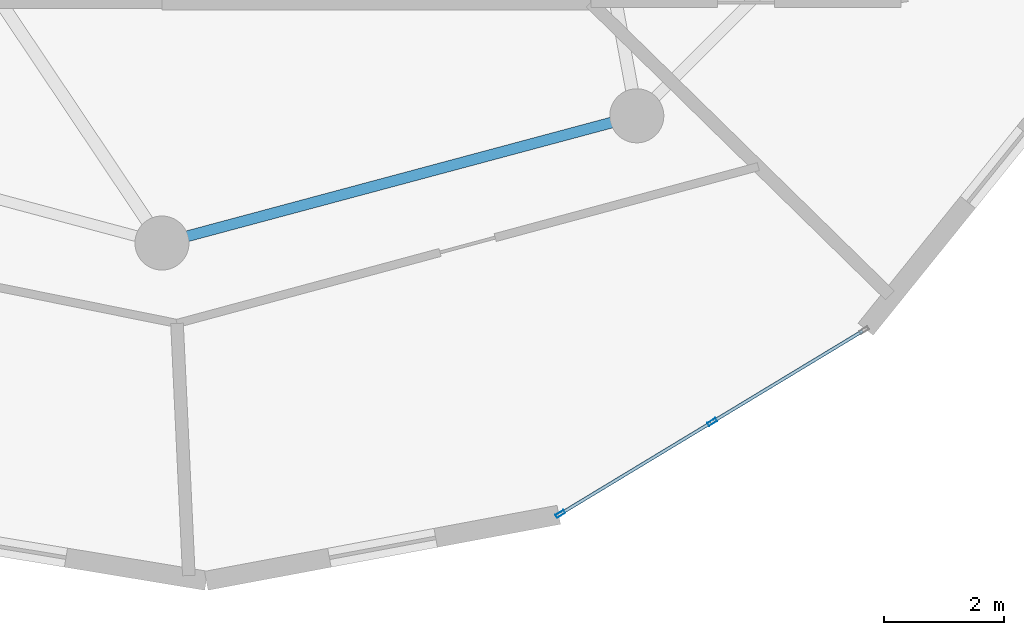
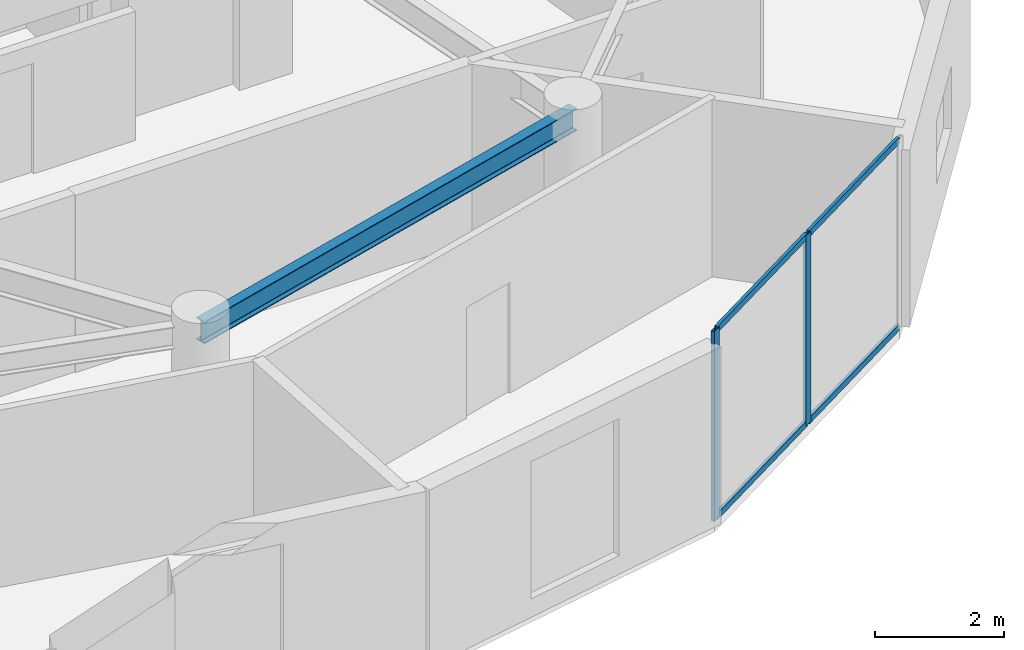
# One storey, part 5 of 21: 6 members, 1 beam, 1 element without a shape of its own.
"""IFC4 building model written with IfcOpenShell, lengths in metres."""

from ifc_helpers import new_model, si_unit, direction, frame, origin, origin_2d, place, context, subcontext, project, spatial, hollow_rectangle, i_section, extrude, source, transform, mapped, material, layer, layer_set, material_profile, profile_set, type_object, element, aggregate, save


model = new_model("IFC4")

# Units and contexts
model_context = context("Model", 3, precision=1e-05, world=origin(), true_north=direction((0.0, 1.0)))
body_context = subcontext(model_context, "Body", "Model", "MODEL_VIEW")
ifc_project = project(units=[si_unit("LENGTHUNIT", "METRE"), si_unit("AREAUNIT", "SQUARE_METRE"), si_unit("VOLUMEUNIT", "CUBIC_METRE"), si_unit("PLANEANGLEUNIT", "RADIAN"), si_unit("MASSUNIT", "GRAM", prefix="KILO")], contexts=[model_context])

# Site, building, storey
site_placement = place(None, origin())
site = spatial("IfcSite", under=ifc_project, at=site_placement, CompositionType="ELEMENT")
building_placement = place(site_placement, origin())
building = spatial("IfcBuilding", under=site, at=building_placement, Name="Solvirekh Grand Hotel", CompositionType="ELEMENT")
storey_placement = place(building_placement, frame((0.0, 0.0, 216.39990234375)))
storey = spatial("IfcBuildingStorey", under=building, at=storey_placement, Name="L56", CompositionType="ELEMENT", Elevation=216.39990234375)

# Beam
ifc_material_1 = material(Name="Steel S355", Category="steel")
ifc_material_profile_1 = material_profile(ifc_material_1, i_section(OverallWidth=0.180908203125, OverallDepth=0.4169921875, WebThickness=0.010009765625, FlangeThickness=0.01611328125, FilletRadius=0.011962890625, at=origin_2d()), Name="W410X85")
ifc_profile_set_1 = profile_set([ifc_material_profile_1], Name="Steel S355")
beam_type = type_object("IfcBeamType", Name="Spandrel_Ring_W410", PredefinedType="SPANDREL", material=ifc_profile_set_1)
beam_placement = place(storey_placement, frame((0.0, -15.800048828125, 3.152099609375), z_axis=(0.965920601923, 0.258838541915, 0.0), x_axis=(-0.258838541915, 0.965920601923, 0.0)))
element("IfcBeam", 1, at=beam_placement, inside=storey, type_object=beam_type, Name="L56 perimeter spandrel beam 10", PredefinedType="SPANDREL", context=body_context, shape_type="SweptSolid", body=[
    extrude(i_section(OverallWidth=0.180908203125, OverallDepth=0.4169921875, WebThickness=0.010009765625, FlangeThickness=0.01611328125, FilletRadius=0.011962890625, at=origin_2d()), origin(), (0.0, 0.0, 1.0), 8.1787109375),
])

# Curtain wall, members
ifc_material_2 = material(Name="Anodized Bronze Aluminium 6063-T6", Category="aluminium")
ifc_layer = layer(ifc_material_2, 0.159912109375)
ifc_layer_set = layer_set([ifc_layer], Name="Anodized Bronze Aluminium 6063-T6")
curtain_wall_type = type_object("IfcCurtainWallType", Name="CW_Sys4_HighZoneFlushBronzeCW", PredefinedType="NOTDEFINED", material=ifc_layer_set)
curtain_wall_placement = place(storey_placement, origin())
curtain_wall = element("IfcCurtainWall", 2, at=curtain_wall_placement, inside=storey, type_object=curtain_wall_type, Name="L56 unitised bronze-glass curtain wall CW-L56-C01", PredefinedType="NOTDEFINED")
ifc_material_profile_2 = material_profile(ifc_material_2, hollow_rectangle(XDim=0.06005859375, YDim=0.159912109375, WallThickness=0.0048828125, at=origin_2d()), Name="ALU RHS 160X60X5")
ifc_profile_set_2 = profile_set([ifc_material_profile_2], Name="Anodized Bronze Aluminium 6063-T6")
member_type_1 = type_object("IfcMemberType", Name="CWMullion_Sys4", PredefinedType="MULLION", material=ifc_profile_set_2)
shared_shape_1 = source(origin(), body_context, "Body", "SweptSolid", [
    extrude(hollow_rectangle(XDim=0.06005859375, YDim=0.159912109375, WallThickness=0.0048828125, at=origin_2d()), origin(), (0.0, 0.0, 1.0), 3.60009765625),
])
member_1_placement = place(storey_placement, frame((6.627685546875, -20.306396484375, 0.0), z_axis=(0.0, 0.0, 1.0), x_axis=(-0.517499245993, 0.855683662575, 0.0)))
member_1 = element("IfcMember", 3, at=member_1_placement, type_object=member_type_1, Name="U04 mullion 1", PredefinedType="MULLION", context=body_context, shape_type="MappedRepresentation", body=[
    mapped(shared_shape_1, transform((0.0, 0.0, 0.0), x_axis=(1.0, 0.0, 0.0), y_axis=(0.0, 1.0, 0.0), z_axis=(0.0, 0.0, 1.0), scale=1.0)),
])
member_2_placement = place(storey_placement, frame((9.155029296875, -18.778076171875, 0.0), z_axis=(0.0, 0.0, 1.0), x_axis=(-0.517499245993, 0.855683662575, 0.0)))
member_2 = element("IfcMember", 4, at=member_2_placement, type_object=member_type_1, Name="U04 mullion 2", PredefinedType="MULLION", context=body_context, shape_type="MappedRepresentation", body=[
    mapped(shared_shape_1, transform((0.0, 0.0, 0.0), x_axis=(1.0, 0.0, 0.0), y_axis=(0.0, 1.0, 0.0), z_axis=(0.0, 0.0, 1.0), scale=1.0)),
])
ifc_material_profile_3 = material_profile(ifc_material_2, hollow_rectangle(XDim=0.054931640625, YDim=0.1201171875, WallThickness=0.00390625, at=origin_2d()), Name="ALU RHS 120X55X4")
ifc_profile_set_3 = profile_set([ifc_material_profile_3], Name="Anodized Bronze Aluminium 6063-T6")
member_type_2 = type_object("IfcMemberType", Name="CWTransom_Sys4", PredefinedType="USERDEFINED", material=ifc_profile_set_3)
shared_shape_2 = source(origin(), body_context, "Body", "SweptSolid", [
    extrude(hollow_rectangle(XDim=0.054931640625, YDim=0.1201171875, WallThickness=0.00390625, at=origin_2d()), origin(), (0.0, 0.0, 1.0), 2.8935546875),
])
member_3_placement = place(storey_placement, frame((9.1806640625, -18.762451171875, 0.027587890625), z_axis=(0.855708525403, 0.517458133139, 0.0), x_axis=(-0.517458133139, 0.855708525403, 0.0)))
member_3 = element("IfcMember", 5, at=member_3_placement, type_object=member_type_2, Name="U04 transom 2.1", ObjectType="TRANSOM", PredefinedType="USERDEFINED", context=body_context, shape_type="MappedRepresentation", body=[
    mapped(shared_shape_2, transform((0.0, 0.0, 0.0), x_axis=(1.0, 0.0, 0.0), y_axis=(0.0, 1.0, 0.0), z_axis=(0.0, 0.0, 1.0), scale=1.0)),
])
member_4_placement = place(storey_placement, frame((9.1806640625, -18.762451171875, 3.572509765625), z_axis=(0.855708525403, 0.517458133139, 0.0), x_axis=(-0.517458133139, 0.855708525403, 0.0)))
member_4 = element("IfcMember", 6, at=member_4_placement, type_object=member_type_2, Name="U04 transom 2.2", ObjectType="TRANSOM", PredefinedType="USERDEFINED", context=body_context, shape_type="MappedRepresentation", body=[
    mapped(shared_shape_2, transform((0.0, 0.0, 0.0), x_axis=(1.0, 0.0, 0.0), y_axis=(0.0, 1.0, 0.0), z_axis=(0.0, 0.0, 1.0), scale=1.0)),
])
shared_shape_3 = source(origin(), body_context, "Body", "SweptSolid", [
    extrude(hollow_rectangle(XDim=0.054931640625, YDim=0.1201171875, WallThickness=0.00390625, at=origin_2d()), origin(), (0.0, 0.0, 1.0), 2.893798828125),
])
member_5_placement = place(storey_placement, frame((6.6533203125, -20.291015625, 0.027587890625), z_axis=(0.855671165109, 0.517519909956, 0.0), x_axis=(-0.517519909956, 0.855671165109, 0.0)))
member_5 = element("IfcMember", 7, at=member_5_placement, type_object=member_type_2, Name="U04 transom 1.1", ObjectType="TRANSOM", PredefinedType="USERDEFINED", context=body_context, shape_type="MappedRepresentation", body=[
    mapped(shared_shape_3, transform((0.0, 0.0, 0.0), x_axis=(1.0, 0.0, 0.0), y_axis=(0.0, 1.0, 0.0), z_axis=(0.0, 0.0, 1.0), scale=1.0)),
])
member_6_placement = place(storey_placement, frame((6.6533203125, -20.291015625, 3.572509765625), z_axis=(0.855671165109, 0.517519909956, 0.0), x_axis=(-0.517519909956, 0.855671165109, 0.0)))
member_6 = element("IfcMember", 8, at=member_6_placement, type_object=member_type_2, Name="U04 transom 1.2", ObjectType="TRANSOM", PredefinedType="USERDEFINED", context=body_context, shape_type="MappedRepresentation", body=[
    mapped(shared_shape_3, transform((0.0, 0.0, 0.0), x_axis=(1.0, 0.0, 0.0), y_axis=(0.0, 1.0, 0.0), z_axis=(0.0, 0.0, 1.0), scale=1.0)),
])
aggregate(curtain_wall, [member_1, member_2, member_5, member_6, member_3, member_4])

save(model, "model.ifc")
